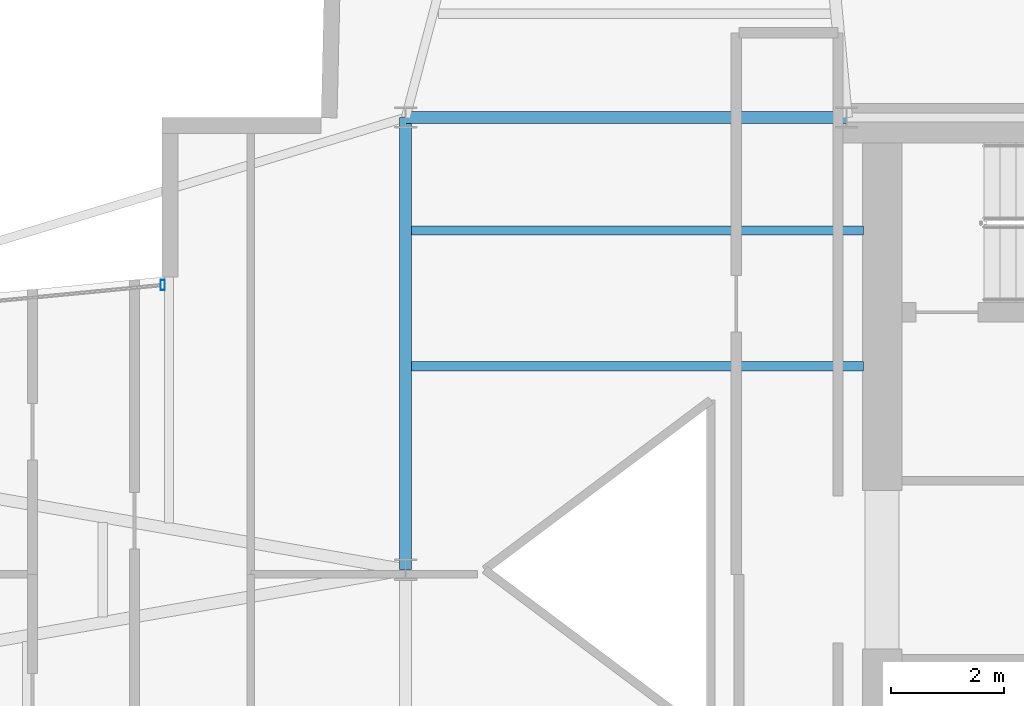
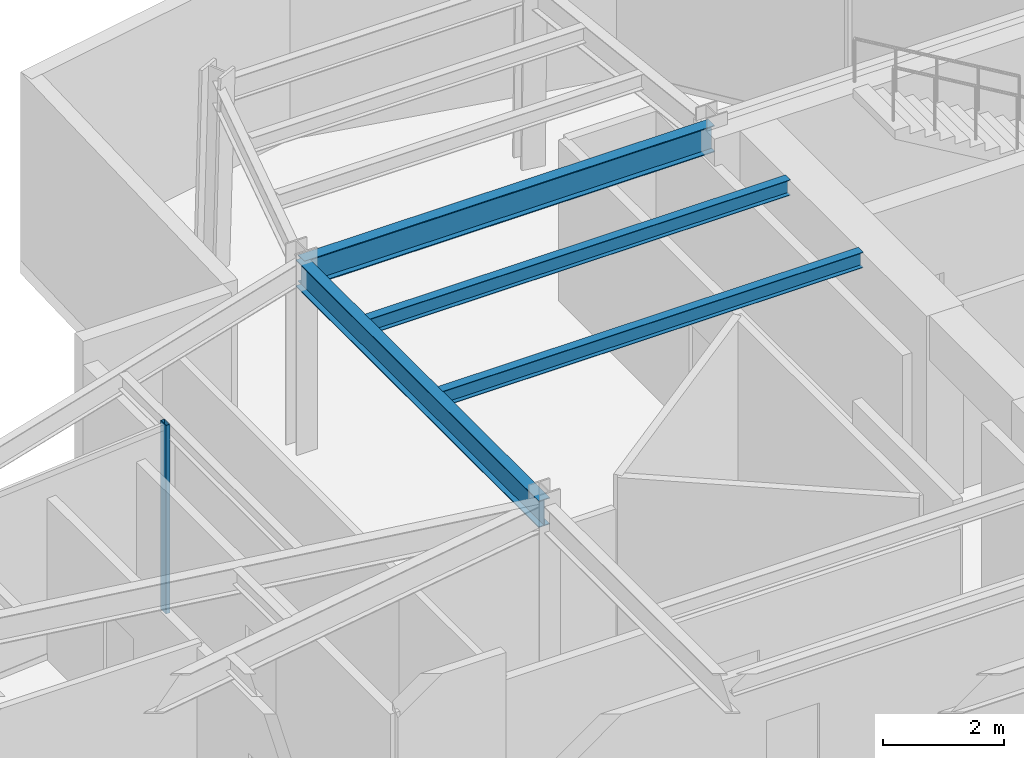
# One storey, part 8 of 21: 4 beams, 1 member, 1 element without a shape of its own.
"""IFC4 building model written with IfcOpenShell, lengths in metres."""

from ifc_helpers import new_model, si_unit, direction, frame, origin, origin_2d, place, context, subcontext, project, spatial, hollow_rectangle, i_section, extrude, material, layer, layer_set, material_profile, profile_set, type_object, element, aggregate, save


model = new_model("IFC4")

# Units and contexts
model_context = context("Model", 3, precision=1e-05, world=origin(), true_north=direction((0.0, 1.0)))
body_context = subcontext(model_context, "Body", "Model", "MODEL_VIEW")
ifc_project = project(units=[si_unit("LENGTHUNIT", "METRE"), si_unit("AREAUNIT", "SQUARE_METRE"), si_unit("VOLUMEUNIT", "CUBIC_METRE"), si_unit("PLANEANGLEUNIT", "RADIAN"), si_unit("MASSUNIT", "GRAM", prefix="KILO")], contexts=[model_context])

# Site, building, storey
site_placement = place(None, origin())
site = spatial("IfcSite", under=ifc_project, at=site_placement, CompositionType="ELEMENT")
building_placement = place(site_placement, origin())
building = spatial("IfcBuilding", under=site, at=building_placement, Name="Veymaron Broadcast Tower", CompositionType="ELEMENT")
storey_placement = place(building_placement, frame((0.0, 0.0, 240.449951171875)))
storey = spatial("IfcBuildingStorey", under=building, at=storey_placement, Name="L56", CompositionType="ELEMENT", Elevation=240.449951171875)

# Beams
ifc_material_1 = material(Name="Structural steel ASTM A992 Gr 50", Category="steel")
ifc_material_profile_1 = material_profile(ifc_material_1, i_section(OverallWidth=0.2099609375, OverallDepth=0.537109375, WebThickness=0.010986328125, FlangeThickness=0.017333984375, at=origin_2d()), Name="W530X101")
ifc_profile_set_1 = profile_set([ifc_material_profile_1], Name="Structural steel ASTM A992 Gr 50")
beam_type_1 = type_object("IfcBeamType", Name="BM-FG3", PredefinedType="BEAM", material=ifc_profile_set_1)
beam_1_placement = place(storey_placement, frame((31.199951171875, 24.0, 3.521484375), z_axis=(0.0, 1.0, 0.0), x_axis=(-1.0, 0.0, 0.0)))
element("IfcBeam", 1, at=beam_1_placement, inside=storey, type_object=beam_type_1, Name="L56 primary structural floor girder", PredefinedType="BEAM", context=body_context, shape_type="SweptSolid", body=[
    extrude(i_section(OverallWidth=0.2099609375, OverallDepth=0.537109375, WebThickness=0.010986328125, FlangeThickness=0.017333984375, at=origin_2d()), origin(), (0.0, 0.0, 1.0), 8.0),
])
beam_2_placement = place(storey_placement, frame((31.199951171875, 32.0, 3.521484375), z_axis=(1.0, 0.0, 0.0), x_axis=(0.0, 1.0, 0.0)))
element("IfcBeam", 2, at=beam_2_placement, inside=storey, type_object=beam_type_1, Name="L56 primary structural floor girder", PredefinedType="BEAM", context=body_context, shape_type="SweptSolid", body=[
    extrude(i_section(OverallWidth=0.2099609375, OverallDepth=0.537109375, WebThickness=0.010986328125, FlangeThickness=0.017333984375, at=origin_2d()), origin(), (0.0, 0.0, 1.0), 7.800048828125),
])
ifc_material_profile_2 = material_profile(ifc_material_1, i_section(OverallWidth=0.1650390625, OverallDepth=0.31005859375, WebThickness=0.005859375, FlangeThickness=0.009765625, at=origin_2d()), Name="W310X39")
ifc_profile_set_2 = profile_set([ifc_material_profile_2], Name="Structural steel ASTM A992 Gr 50")
beam_type_2 = type_object("IfcBeamType", Name="BM-JS3", PredefinedType="JOIST", material=ifc_profile_set_2)
for number, where, z_axis, x_axis, name in (
    (3, (31.300048828125, 27.60009765625, 3.635009765625), (1.0, 0.0, 0.0), (0.0, 1.0, 0.0), "L56 Hub secondary joist 3"),
    (4, (31.300048828125, 30.0, 3.635009765625), (1.0, 0.0, 0.0), (0.0, 1.0, 0.0), "L56 Hub secondary joist 4"),
):
    element("IfcBeam", number, at=place(storey_placement, frame(where, z_axis=z_axis, x_axis=x_axis)), inside=storey, type_object=beam_type_2, Name=name, PredefinedType="JOIST", context=body_context, shape_type="SweptSolid", body=[
        extrude(i_section(OverallWidth=0.1650390625, OverallDepth=0.31005859375, WebThickness=0.005859375, FlangeThickness=0.009765625, at=origin_2d()), origin(), (0.0, 0.0, 1.0), 8.0),
    ])

# Curtain wall, member
ifc_material_2 = material(Name="Anodised aluminium AA 6063-T6 and laminated low-E dark glass", Category="aluminium")
ifc_layer = layer(ifc_material_2, 0.179931640625)
ifc_layer_set = layer_set([ifc_layer], Name="Anodised aluminium AA 6063-T6 and laminated low-E dark glass")
curtain_wall_type = type_object("IfcCurtainWallType", Name="CW-SYS-05", PredefinedType="NOTDEFINED", material=ifc_layer_set)
curtain_wall_placement = place(storey_placement, origin())
curtain_wall = element("IfcCurtainWall", 5, at=curtain_wall_placement, inside=storey, type_object=curtain_wall_type, Name="L56 dark-glass curtain wall CW-L56-E13-1", PredefinedType="NOTDEFINED")
ifc_material_3 = material(Name="Anodised aluminium AA 6063-T6", Category="aluminium")
ifc_material_profile_3 = material_profile(ifc_material_3, hollow_rectangle(XDim=0.074951171875, YDim=0.179931640625, WallThickness=0.0048828125, at=origin_2d()), Name="AL180X75X5")
ifc_profile_set_3 = profile_set([ifc_material_profile_3], Name="Anodised aluminium AA 6063-T6")
member_type = type_object("IfcMemberType", Name="CW-MUL-02", PredefinedType="MULLION", material=ifc_profile_set_3)
member_placement = place(storey_placement, frame((26.9013671875, 29.037109375, 0.0), z_axis=(0.0, 0.0, 1.0), x_axis=(1.0, 0.0, 0.0)))
member = element("IfcMember", 6, at=member_placement, type_object=member_type, Name="CW-L56-E13-1 mullion 0", PredefinedType="MULLION", context=body_context, shape_type="SweptSolid", body=[
    extrude(hollow_rectangle(XDim=0.074951171875, YDim=0.179931640625, WallThickness=0.0048828125, at=origin_2d()), origin(), (0.0, 0.0, 1.0), 3.7900390625),
])
aggregate(curtain_wall, [member])

save(model, "model.ifc")
